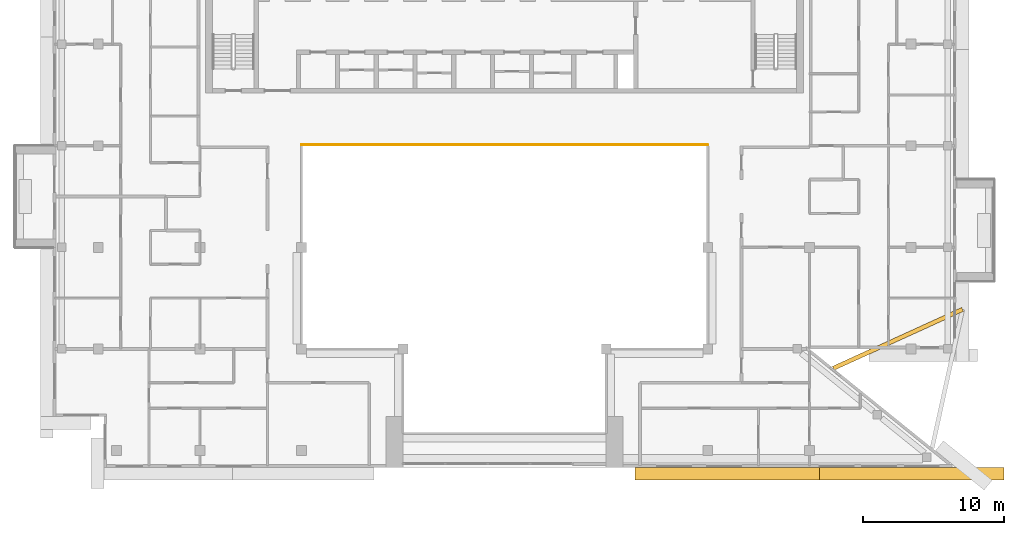
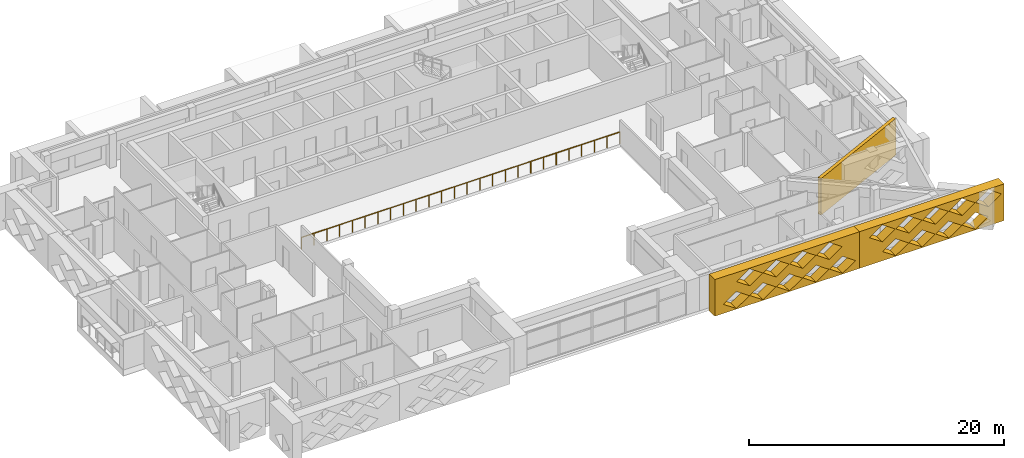
# One storey, part 14 of 18: 3 coverings, 1 railing.
"""IFC4 building model written with IfcOpenShell, lengths in metres."""

from ifc_helpers import new_model, si_unit, direction, frame, origin, origin_2d, place, context, subcontext, project, spatial, polyline, circle, outline, extrude, material, layer, layer_set, type_object, element, save


model = new_model("IFC4")

# Units and contexts
model_context = context("Model", 3, precision=1e-05, world=origin(), true_north=direction((0.0, 1.0)))
body_context = subcontext(model_context, "Body", "Model", "MODEL_VIEW")
ifc_project = project(units=[si_unit("LENGTHUNIT", "METRE"), si_unit("AREAUNIT", "SQUARE_METRE"), si_unit("VOLUMEUNIT", "CUBIC_METRE"), si_unit("PLANEANGLEUNIT", "RADIAN"), si_unit("MASSUNIT", "GRAM", prefix="KILO")], contexts=[model_context])

# Site, building, storey
site_placement = place(None, origin())
site = spatial("IfcSite", under=ifc_project, at=site_placement, CompositionType="ELEMENT")
building_placement = place(site_placement, origin())
building = spatial("IfcBuilding", under=site, at=building_placement, Name="Saffron Iwan Residences", CompositionType="ELEMENT")
storey_placement = place(building_placement, frame((0.0, 0.0, 260.5)))
storey = spatial("IfcBuildingStorey", under=building, at=storey_placement, Name="L70", CompositionType="ELEMENT", Elevation=260.5)

# Railing
ifc_material_1 = material(Name="Stainless steel 316", Category="steel")
railing_type = type_object("IfcRailingType", Name="Atrium guard 1150", PredefinedType="GUARDRAIL", material=ifc_material_1)
railing_placement = place(storey_placement, frame((36.0, 62.47509765625, 0.0)))
element("IfcRailing", 1, at=railing_placement, inside=storey, type_object=railing_type, Name="Atrium guard L70", PredefinedType="GUARDRAIL", context=body_context, shape_type="SweptSolid", body=[
    extrude(circle(Radius=0.02392578125, at=origin_2d()), frame((0.0, 0.0, 1.1259765625), z_axis=(1.0, 0.0, 0.0), x_axis=(0.0, 1.0, 0.0)), (0.0, 0.0, 1.0), 28.800048828125),
    extrude(circle(Radius=0.02099609375, at=origin_2d()), origin(), (0.0, 0.0, 1.0), 1.101806640625),
    extrude(circle(Radius=0.02099609375, at=origin_2d()), frame((1.152099609375, 0.0, 0.0)), (0.0, 0.0, 1.0), 1.101806640625),
    extrude(circle(Radius=0.02099609375, at=origin_2d()), frame((2.303955078125, 0.0, 0.0)), (0.0, 0.0, 1.0), 1.101806640625),
    extrude(circle(Radius=0.02099609375, at=origin_2d()), frame((3.4560546875, 0.0, 0.0)), (0.0, 0.0, 1.0), 1.101806640625),
    extrude(circle(Radius=0.02099609375, at=origin_2d()), frame((4.60791015625, 0.0, 0.0)), (0.0, 0.0, 1.0), 1.101806640625),
    extrude(circle(Radius=0.02099609375, at=origin_2d()), frame((5.760009765625, 0.0, 0.0)), (0.0, 0.0, 1.0), 1.101806640625),
    extrude(circle(Radius=0.02099609375, at=origin_2d()), frame((6.912109375, 0.0, 0.0)), (0.0, 0.0, 1.0), 1.101806640625),
    extrude(circle(Radius=0.02099609375, at=origin_2d()), frame((8.06396484375, 0.0, 0.0)), (0.0, 0.0, 1.0), 1.101806640625),
    extrude(circle(Radius=0.02099609375, at=origin_2d()), frame((9.216064453125, 0.0, 0.0)), (0.0, 0.0, 1.0), 1.101806640625),
    extrude(circle(Radius=0.02099609375, at=origin_2d()), frame((10.367919921875, 0.0, 0.0)), (0.0, 0.0, 1.0), 1.101806640625),
    extrude(circle(Radius=0.02099609375, at=origin_2d()), frame((11.52001953125, 0.0, 0.0)), (0.0, 0.0, 1.0), 1.101806640625),
    extrude(circle(Radius=0.02099609375, at=origin_2d()), frame((12.672119140625, 0.0, 0.0)), (0.0, 0.0, 1.0), 1.101806640625),
    extrude(circle(Radius=0.02099609375, at=origin_2d()), frame((13.823974609375, 0.0, 0.0)), (0.0, 0.0, 1.0), 1.101806640625),
    extrude(circle(Radius=0.02099609375, at=origin_2d()), frame((14.97607421875, 0.0, 0.0)), (0.0, 0.0, 1.0), 1.101806640625),
    extrude(circle(Radius=0.02099609375, at=origin_2d()), frame((16.1279296875, 0.0, 0.0)), (0.0, 0.0, 1.0), 1.101806640625),
    extrude(circle(Radius=0.02099609375, at=origin_2d()), frame((17.280029296875, 0.0, 0.0)), (0.0, 0.0, 1.0), 1.101806640625),
    extrude(circle(Radius=0.02099609375, at=origin_2d()), frame((18.43212890625, 0.0, 0.0)), (0.0, 0.0, 1.0), 1.101806640625),
    extrude(circle(Radius=0.02099609375, at=origin_2d()), frame((19.583984375, 0.0, 0.0)), (0.0, 0.0, 1.0), 1.101806640625),
    extrude(circle(Radius=0.02099609375, at=origin_2d()), frame((20.736083984375, 0.0, 0.0)), (0.0, 0.0, 1.0), 1.101806640625),
    extrude(circle(Radius=0.02099609375, at=origin_2d()), frame((21.887939453125, 0.0, 0.0)), (0.0, 0.0, 1.0), 1.101806640625),
    extrude(circle(Radius=0.02099609375, at=origin_2d()), frame((23.0400390625, 0.0, 0.0)), (0.0, 0.0, 1.0), 1.101806640625),
    extrude(circle(Radius=0.02099609375, at=origin_2d()), frame((24.192138671875, 0.0, 0.0)), (0.0, 0.0, 1.0), 1.101806640625),
    extrude(circle(Radius=0.02099609375, at=origin_2d()), frame((25.343994140625, 0.0, 0.0)), (0.0, 0.0, 1.0), 1.101806640625),
    extrude(circle(Radius=0.02099609375, at=origin_2d()), frame((26.49609375, 0.0, 0.0)), (0.0, 0.0, 1.0), 1.101806640625),
    extrude(circle(Radius=0.02099609375, at=origin_2d()), frame((27.64794921875, 0.0, 0.0)), (0.0, 0.0, 1.0), 1.101806640625),
    extrude(circle(Radius=0.02099609375, at=origin_2d()), frame((28.800048828125, 0.0, 0.0)), (0.0, 0.0, 1.0), 1.101806640625),
])

# Coverings
ifc_material_2 = material(Name="Precast concrete C40/50", Category="concrete")
covering_type_1 = type_object("IfcCoveringType", Name="OUTER SKIN LATTICE SCREEN", PredefinedType="CLADDING", material=ifc_material_2)
covering_1_placement = place(storey_placement, frame((59.64990234375, 39.60009765625, -0.280029296875), z_axis=(0.0, -1.0, 0.0), x_axis=(1.0, 0.0, 0.0)))
element("IfcCovering", 2, at=covering_1_placement, inside=storey, type_object=covering_type_1, Name="OUTER SKIN lattice screen L70 F11.2", PredefinedType="CLADDING", context=body_context, shape_type="SweptSolid", body=[
    extrude(outline(polyline([(0.0, 0.0), (13.07275390625, 0.0), (13.07275390625, 3.5), (0.0, 3.5), (0.0, 0.0)]), holes=[polyline([(0.77001953125, 0.875), (1.949951171875, 0.06005859375), (3.1298828125, 0.875), (1.949951171875, 1.68994140625), (0.77001953125, 0.875)]), polyline([(3.169921875, 0.875), (4.35009765625, 0.06005859375), (5.530029296875, 0.875), (4.35009765625, 1.68994140625), (3.169921875, 0.875)]), polyline([(5.570068359375, 0.875), (6.75, 0.06005859375), (7.929931640625, 0.875), (6.75, 1.68994140625), (5.570068359375, 0.875)]), polyline([(7.969970703125, 0.875), (9.14990234375, 0.06005859375), (10.330078125, 0.875), (9.14990234375, 1.68994140625), (7.969970703125, 0.875)]), polyline([(10.3701171875, 0.875), (11.550048828125, 0.06005859375), (12.72998046875, 0.875), (11.550048828125, 1.68994140625), (10.3701171875, 0.875)]), polyline([(1.969970703125, 2.625), (3.14990234375, 1.81005859375), (4.330078125, 2.625), (3.14990234375, 3.43994140625), (1.969970703125, 2.625)]), polyline([(4.3701171875, 2.625), (5.550048828125, 1.81005859375), (6.72998046875, 2.625), (5.550048828125, 3.43994140625), (4.3701171875, 2.625)]), polyline([(6.77001953125, 2.625), (7.949951171875, 1.81005859375), (9.1298828125, 2.625), (7.949951171875, 3.43994140625), (6.77001953125, 2.625)]), polyline([(9.169921875, 2.625), (10.35009765625, 1.81005859375), (11.530029296875, 2.625), (10.35009765625, 3.43994140625), (9.169921875, 2.625)])]), origin(), (0.0, 0.0, 1.0), 0.900146484375),
])
covering_2_placement = place(storey_placement, frame((72.72265625, 39.60009765625, -0.280029296875), z_axis=(0.0, -1.0, 0.0), x_axis=(1.0, 0.0, 0.0)))
element("IfcCovering", 3, at=covering_2_placement, inside=storey, type_object=covering_type_1, Name="OUTER SKIN lattice screen L70 F11.3", PredefinedType="CLADDING", context=body_context, shape_type="SweptSolid", body=[
    extrude(outline(polyline([(0.0, 0.0), (13.07275390625, 0.0), (13.07275390625, 3.5), (0.0, 3.5), (0.0, 0.0)]), holes=[polyline([(2.097412109375, 0.875), (3.27734375, 0.06005859375), (4.457275390625, 0.875), (3.27734375, 1.68994140625), (2.097412109375, 0.875)]), polyline([(4.497314453125, 0.875), (5.67724609375, 0.06005859375), (6.857421875, 0.875), (5.67724609375, 1.68994140625), (4.497314453125, 0.875)]), polyline([(6.897216796875, 0.875), (8.0771484375, 0.06005859375), (9.257080078125, 0.875), (8.0771484375, 1.68994140625), (6.897216796875, 0.875)]), polyline([(9.29736328125, 0.875), (10.477294921875, 0.06005859375), (11.6572265625, 0.875), (10.477294921875, 1.68994140625), (9.29736328125, 0.875)]), polyline([(0.897216796875, 2.625), (2.077392578125, 1.81005859375), (3.25732421875, 2.625), (2.077392578125, 3.43994140625), (0.897216796875, 2.625)]), polyline([(3.29736328125, 2.625), (4.477294921875, 1.81005859375), (5.6572265625, 2.625), (4.477294921875, 3.43994140625), (3.29736328125, 2.625)]), polyline([(5.697265625, 2.625), (6.877197265625, 1.81005859375), (8.057373046875, 2.625), (6.877197265625, 3.43994140625), (5.697265625, 2.625)]), polyline([(8.097412109375, 2.625), (9.27734375, 1.81005859375), (10.457275390625, 2.625), (9.27734375, 3.43994140625), (8.097412109375, 2.625)]), polyline([(10.497314453125, 2.625), (11.67724609375, 1.81005859375), (12.857421875, 2.625), (11.67724609375, 3.43994140625), (10.497314453125, 2.625)])]), origin(), (0.0, 0.0, 1.0), 0.900146484375),
])
ifc_material_3 = material(Name="Precast concrete C40/50 white painted", Category="concrete")
ifc_layer = layer(ifc_material_3, 0.300048828125)
ifc_layer_set = layer_set([ifc_layer], Name="Precast concrete C40/50 white painted")
covering_type_2 = type_object("IfcCoveringType", Name="PROW NOSE BLADE PRECAST WHITE", PredefinedType="CLADDING", material=ifc_layer_set)
covering_3_placement = place(storey_placement, frame((0.0, 0.0, -0.280029296875)))
element("IfcCovering", 4, at=covering_3_placement, inside=storey, type_object=covering_type_2, Name="Prow nose blade L70 b", PredefinedType="CLADDING", context=body_context, shape_type="SweptSolid", body=[
    extrude(outline(polyline([(73.761474609375, 46.490966796875), (82.917236328125, 50.6650390625), (82.792724609375, 50.93798828125), (73.636962890625, 46.763916015625), (73.761474609375, 46.490966796875)])), origin(), (0.0, 0.0, 1.0), 3.5),
])

save(model, "model.ifc")
